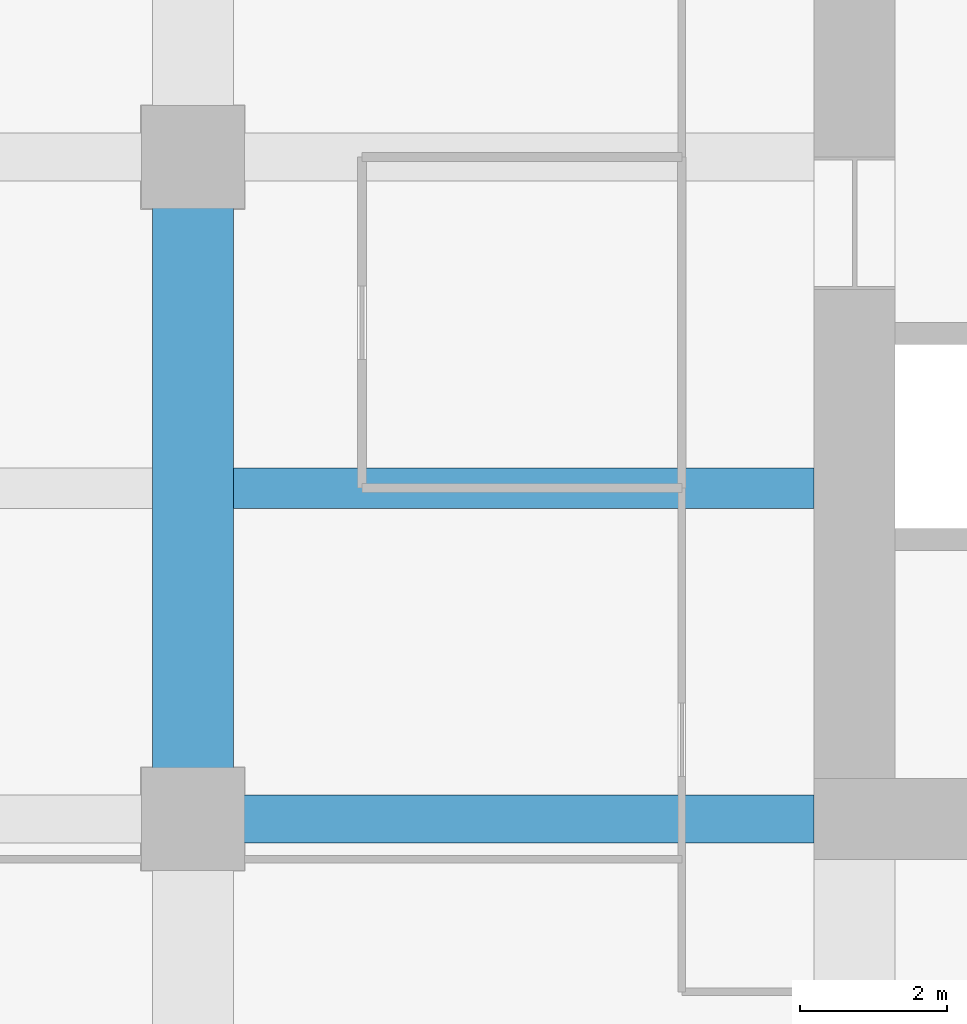
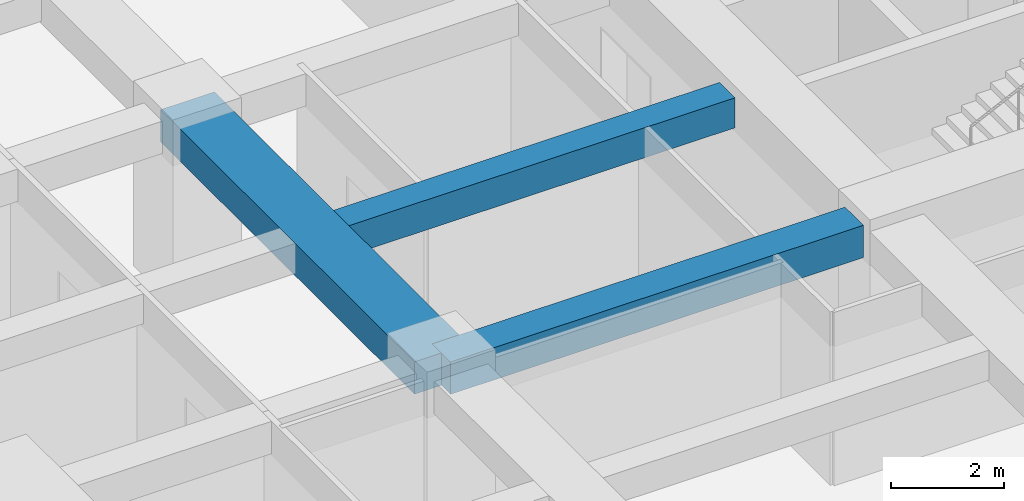
# One storey, part 10 of 34: 3 beams.
"""IFC4 building model written with IfcOpenShell, lengths in metres."""

from ifc_helpers import new_model, si_unit, direction, frame, origin, origin_2d, place, context, subcontext, project, spatial, rectangle, extrude, material, material_profile, profile_set, type_object, element, save


model = new_model("IFC4")

# Units and contexts
model_context = context("Model", 3, precision=1e-05, world=origin(), true_north=direction((0.0, 1.0)))
body_context = subcontext(model_context, "Body", "Model", "MODEL_VIEW")
ifc_project = project(units=[si_unit("LENGTHUNIT", "METRE"), si_unit("AREAUNIT", "SQUARE_METRE"), si_unit("VOLUMEUNIT", "CUBIC_METRE"), si_unit("PLANEANGLEUNIT", "RADIAN"), si_unit("MASSUNIT", "GRAM", prefix="KILO")], contexts=[model_context])

# Site, building, storey
site_placement = place(None, origin())
site = spatial("IfcSite", under=ifc_project, at=site_placement, CompositionType="ELEMENT")
building_placement = place(site_placement, origin())
building = spatial("IfcBuilding", under=site, at=building_placement, Name="Zorevar Civic Tower", CompositionType="ELEMENT")
storey_placement = place(building_placement, frame((0.0, 0.0, 214.199951171875)))
storey = spatial("IfcBuildingStorey", under=building, at=storey_placement, Name="L52", CompositionType="ELEMENT", Elevation=214.199951171875)

# Beams
ifc_material_1 = material(Name="Concrete C50/60", Category="concrete")
ifc_material_profile_1 = material_profile(ifc_material_1, rectangle(XDim=1.10009765625, YDim=0.699951171875, at=origin_2d()), Name="RC 1100x700")
ifc_profile_set_1 = profile_set([ifc_material_profile_1], Name="Concrete C50/60")
beam_type_1 = type_object("IfcBeamType", Name="Beam RC 1100x700", PredefinedType="BEAM", material=ifc_profile_set_1)
beam_1_placement = place(storey_placement, frame((9.0, 18.0, 3.400146484375), z_axis=(0.0, 1.0, 0.0), x_axis=(-1.0, 0.0, 0.0)))
element("IfcBeam", 1, at=beam_1_placement, inside=storey, type_object=beam_type_1, Name="Girder L53", PredefinedType="BEAM", context=body_context, shape_type="SweptSolid", body=[
    extrude(rectangle(XDim=1.10009765625, YDim=0.699951171875, at=origin_2d()), origin(), (0.0, 0.0, 1.0), 9.0),
])
ifc_material_2 = material(Name="Concrete C50/60", Category="concrete")
ifc_material_profile_2 = material_profile(ifc_material_2, rectangle(XDim=0.550048828125, YDim=0.64990234375, at=origin_2d()), Name="RC 550x650")
ifc_profile_set_2 = profile_set([ifc_material_profile_2], Name="Concrete C50/60")
beam_type_2 = type_object("IfcBeamType", Name="Beam RC 550x650", PredefinedType="BEAM", material=ifc_profile_set_2)
beam_2_placement = place(storey_placement, frame((9.550048828125, 22.5, 3.425048828125), z_axis=(1.0, 0.0, 0.0), x_axis=(0.0, 1.0, 0.0)))
element("IfcBeam", 2, at=beam_2_placement, inside=storey, type_object=beam_type_2, Name="Secondary beam L53", PredefinedType="BEAM", context=body_context, shape_type="SweptSolid", body=[
    extrude(rectangle(XDim=0.550048828125, YDim=0.64990234375, at=origin_2d()), origin(), (0.0, 0.0, 1.0), 7.89990234375),
])
ifc_material_3 = material(Name="Concrete C50/60", Category="concrete")
ifc_material_profile_3 = material_profile(ifc_material_3, rectangle(XDim=0.64990234375, YDim=0.699951171875, at=origin_2d()), Name="RC 650x700")
ifc_profile_set_3 = profile_set([ifc_material_profile_3], Name="Concrete C50/60")
beam_type_3 = type_object("IfcBeamType", Name="Beam RC 650x700", PredefinedType="BEAM", material=ifc_profile_set_3)
beam_3_placement = place(storey_placement, frame((9.0, 18.0, 3.400146484375), z_axis=(1.0, 0.0, 0.0), x_axis=(0.0, 1.0, 0.0)))
element("IfcBeam", 3, at=beam_3_placement, inside=storey, type_object=beam_type_3, Name="Girder L53", PredefinedType="BEAM", context=body_context, shape_type="SweptSolid", body=[
    extrude(rectangle(XDim=0.64990234375, YDim=0.699951171875, at=origin_2d()), origin(), (0.0, 0.0, 1.0), 8.449951171875),
])

save(model, "model.ifc")
